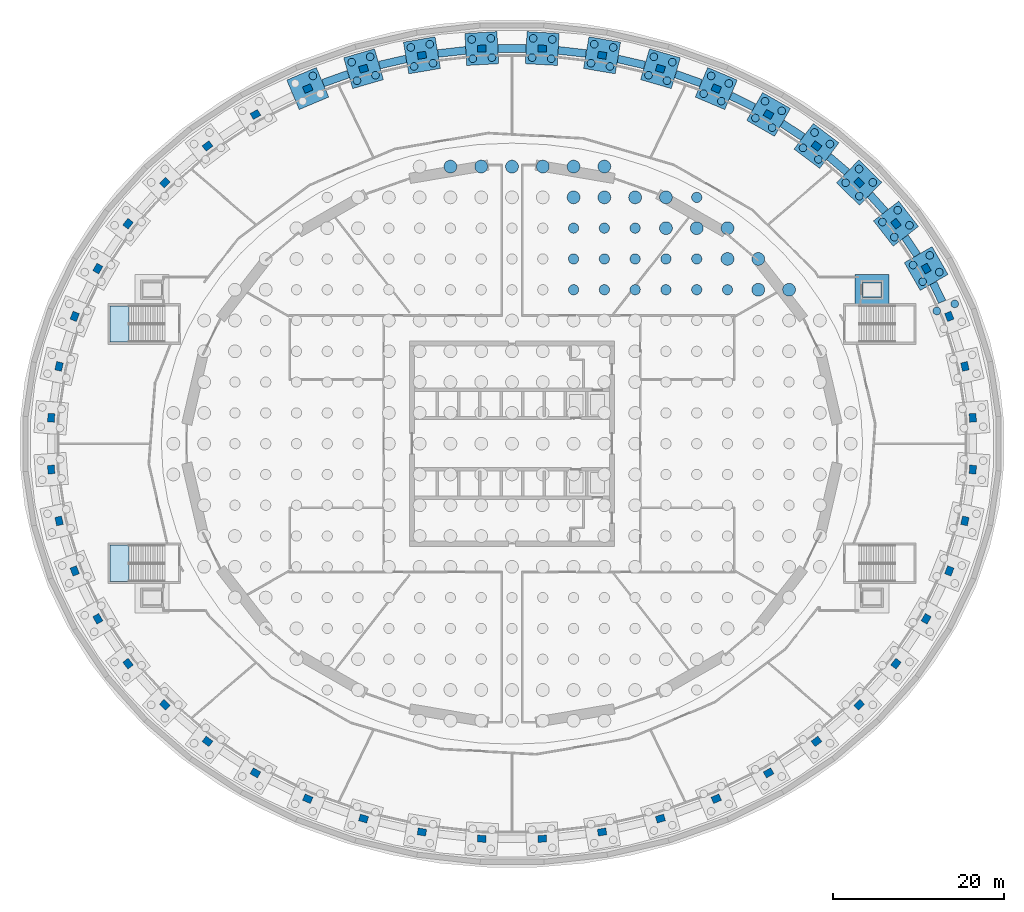
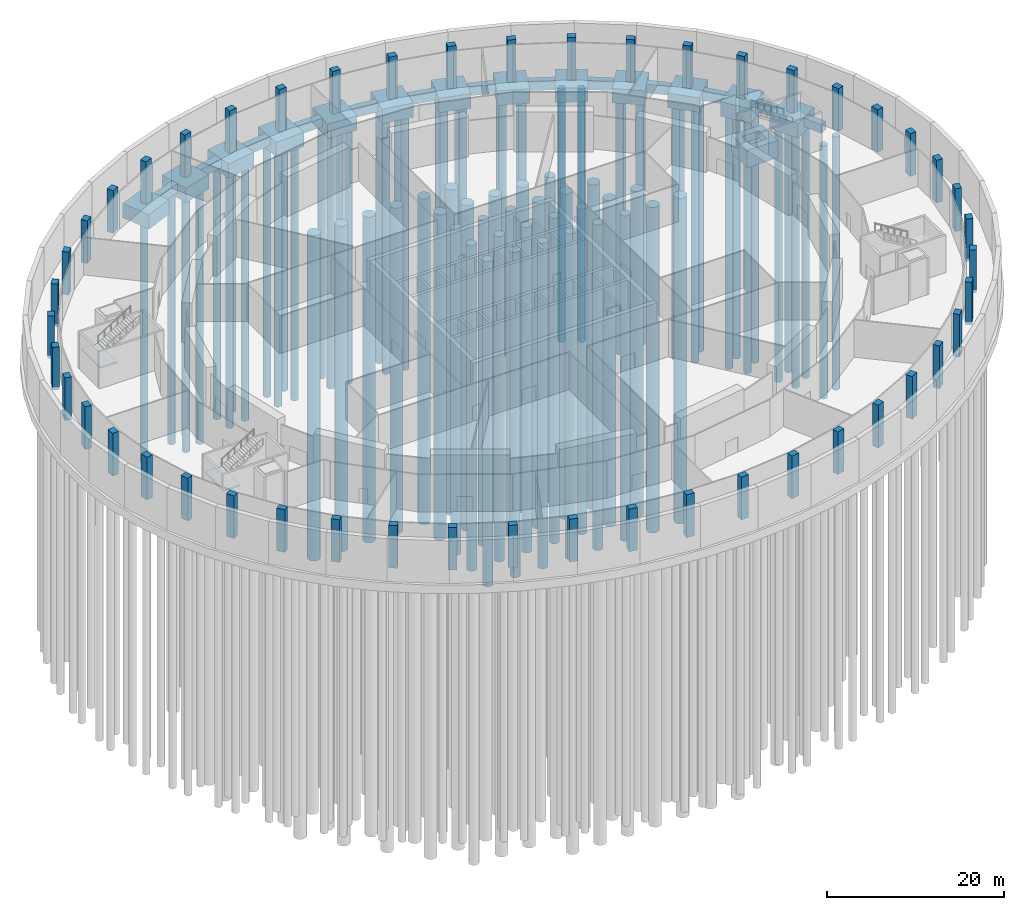
# One storey, part 4 of 15: 83 piles, 48 columns, 28 footings, 2 slabs, 2 elements without a shape of their own.
"""IFC4 building model written with IfcOpenShell, lengths in metres."""

from ifc_helpers import new_model, si_unit, direction, frame, origin, origin_2d, place, context, subcontext, project, spatial, polyline, rectangle, circle, outline, extrude, material, layer, layer_set, material_profile, profile_set, type_object, element, aggregate, save


model = new_model("IFC4")

# Units and contexts
model_context = context("Model", 3, precision=1e-05, world=origin(), true_north=direction((0.0, 1.0)))
body_context = subcontext(model_context, "Body", "Model", "MODEL_VIEW")
ifc_project = project(units=[si_unit("LENGTHUNIT", "METRE"), si_unit("AREAUNIT", "SQUARE_METRE"), si_unit("VOLUMEUNIT", "CUBIC_METRE"), si_unit("PLANEANGLEUNIT", "RADIAN"), si_unit("MASSUNIT", "GRAM", prefix="KILO")], contexts=[model_context])

# Site, building, storey
site_placement = place(None, origin())
site = spatial("IfcSite", under=ifc_project, at=site_placement, CompositionType="ELEMENT")
building_placement = place(site_placement, origin())
building = spatial("IfcBuilding", under=site, at=building_placement, Name="Halqa Exchange Tower", CompositionType="ELEMENT")
storey_placement = place(building_placement, frame((0.0, 0.0, -15.0)))
storey = spatial("IfcBuildingStorey", under=building, at=storey_placement, Name="B3", CompositionType="ELEMENT", Elevation=-15.0)

# Piles
ifc_material_1 = material(Name="Concrete C35/45", Category="concrete")
ifc_material_profile_1 = material_profile(ifc_material_1, circle(Radius=0.60009765625, at=origin_2d()), Name="D1200")
ifc_profile_set_1 = profile_set([ifc_material_profile_1], Name="Concrete C35/45")
pile_type_1 = type_object("IfcPileType", Name="Bored pile D1200", PredefinedType="BORED", material=ifc_profile_set_1)
for number, where, z_axis, x_axis, name in (
    (1, (7.199951171875, 18.0, -4.89990234375), (0.0, 0.0, -1.0), (1.0, 0.0, 0.0), "Raft pile"),
    (2, (10.800048828125, 18.0, -4.89990234375), (0.0, 0.0, -1.0), (1.0, 0.0, 0.0), "Raft pile"),
    (3, (14.39990234375, 18.0, -4.89990234375), (0.0, 0.0, -1.0), (1.0, 0.0, 0.0), "Raft pile"),
    (4, (18.0, 18.0, -4.89990234375), (0.0, 0.0, -1.0), (1.0, 0.0, 0.0), "Raft pile"),
    (5, (21.60009765625, 18.0, -4.89990234375), (0.0, 0.0, -1.0), (1.0, 0.0, 0.0), "Raft pile"),
    (6, (25.199951171875, 18.0, -4.89990234375), (0.0, 0.0, -1.0), (1.0, 0.0, 0.0), "Raft pile"),
    (7, (7.199951171875, 21.60009765625, -4.89990234375), (0.0, 0.0, -1.0), (1.0, 0.0, 0.0), "Raft pile"),
    (8, (10.800048828125, 21.60009765625, -4.89990234375), (0.0, 0.0, -1.0), (1.0, 0.0, 0.0), "Raft pile"),
    (9, (14.39990234375, 21.60009765625, -4.89990234375), (0.0, 0.0, -1.0), (1.0, 0.0, 0.0), "Raft pile"),
    (10, (18.0, 21.60009765625, -4.89990234375), (0.0, 0.0, -1.0), (1.0, 0.0, 0.0), "Raft pile"),
    (11, (21.60009765625, 21.60009765625, -4.89990234375), (0.0, 0.0, -1.0), (1.0, 0.0, 0.0), "Raft pile"),
    (12, (7.199951171875, 25.199951171875, -4.89990234375), (0.0, 0.0, -1.0), (1.0, 0.0, 0.0), "Raft pile"),
    (13, (10.800048828125, 25.199951171875, -4.89990234375), (0.0, 0.0, -1.0), (1.0, 0.0, 0.0), "Raft pile"),
    (14, (14.39990234375, 25.199951171875, -4.89990234375), (0.0, 0.0, -1.0), (1.0, 0.0, 0.0), "Raft pile"),
    (15, (21.60009765625, 28.800048828125, -4.89990234375), (0.0, 0.0, -1.0), (1.0, 0.0, 0.0), "Raft pile"),
):
    element("IfcPile", number, at=place(storey_placement, frame(where, z_axis=z_axis, x_axis=x_axis)), inside=storey, type_object=pile_type_1, Name=name, PredefinedType="BORED", context=body_context, shape_type="SweptSolid", body=[
        extrude(circle(Radius=0.60009765625, at=origin_2d()), origin(), (0.0, 0.0, 1.0), 45.0),
    ])
ifc_material_profile_2 = material_profile(ifc_material_1, circle(Radius=0.75, at=origin_2d()), Name="D1500")
ifc_profile_set_2 = profile_set([ifc_material_profile_2], Name="Concrete C35/45")
pile_type_2 = type_object("IfcPileType", Name="Bored pile D1500", PredefinedType="BORED", material=ifc_profile_set_2)
for number, where, z_axis, x_axis, name in (
    (16, (28.800048828125, 18.0, -4.89990234375), (0.0, 0.0, -1.0), (1.0, 0.0, 0.0), "Raft pile"),
    (17, (32.39990234375, 18.0, -4.89990234375), (0.0, 0.0, -1.0), (1.0, 0.0, 0.0), "Raft pile"),
    (18, (25.199951171875, 21.60009765625, -4.89990234375), (0.0, 0.0, -1.0), (1.0, 0.0, 0.0), "Raft pile"),
    (19, (28.800048828125, 21.60009765625, -4.89990234375), (0.0, 0.0, -1.0), (1.0, 0.0, 0.0), "Raft pile"),
    (20, (18.0, 25.199951171875, -4.89990234375), (0.0, 0.0, -1.0), (1.0, 0.0, 0.0), "Raft pile"),
    (21, (21.60009765625, 25.199951171875, -4.89990234375), (0.0, 0.0, -1.0), (1.0, 0.0, 0.0), "Raft pile"),
    (22, (25.199951171875, 25.199951171875, -4.89990234375), (0.0, 0.0, -1.0), (1.0, 0.0, 0.0), "Raft pile"),
    (23, (7.199951171875, 28.800048828125, -4.89990234375), (0.0, 0.0, -1.0), (1.0, 0.0, 0.0), "Raft pile"),
    (24, (10.800048828125, 28.800048828125, -4.89990234375), (0.0, 0.0, -1.0), (1.0, 0.0, 0.0), "Raft pile"),
    (25, (14.39990234375, 28.800048828125, -4.89990234375), (0.0, 0.0, -1.0), (1.0, 0.0, 0.0), "Raft pile"),
    (26, (18.0, 28.800048828125, -4.89990234375), (0.0, 0.0, -1.0), (1.0, 0.0, 0.0), "Raft pile"),
    (27, (-7.199951171875, 32.39990234375, -4.89990234375), (0.0, 0.0, -1.0), (1.0, 0.0, 0.0), "Raft pile"),
    (28, (-3.60009765625, 32.39990234375, -4.89990234375), (0.0, 0.0, -1.0), (1.0, 0.0, 0.0), "Raft pile"),
    (29, (0.0, 32.39990234375, -4.89990234375), (0.0, 0.0, -1.0), (1.0, 0.0, 0.0), "Raft pile"),
    (30, (3.60009765625, 32.39990234375, -4.89990234375), (0.0, 0.0, -1.0), (1.0, 0.0, 0.0), "Raft pile"),
    (31, (7.199951171875, 32.39990234375, -4.89990234375), (0.0, 0.0, -1.0), (1.0, 0.0, 0.0), "Raft pile"),
    (32, (10.800048828125, 32.39990234375, -4.89990234375), (0.0, 0.0, -1.0), (1.0, 0.0, 0.0), "Raft pile"),
):
    element("IfcPile", number, at=place(storey_placement, frame(where, z_axis=z_axis, x_axis=x_axis)), inside=storey, type_object=pile_type_2, Name=name, PredefinedType="BORED", context=body_context, shape_type="SweptSolid", body=[
        extrude(circle(Radius=0.75, at=origin_2d()), origin(), (0.0, 0.0, 1.0), 45.0),
    ])
ifc_material_profile_3 = material_profile(ifc_material_1, circle(Radius=0.449951171875, at=origin_2d()), Name="D900")
ifc_profile_set_3 = profile_set([ifc_material_profile_3], Name="Concrete C35/45")
pile_type_3 = type_object("IfcPileType", Name="Bored pile D900", PredefinedType="BORED", material=ifc_profile_set_3)
for number, where, z_axis, x_axis, name in (
    (33, (51.76611328125, 16.3427734375, -2.39990234375), (0.0, 0.0, -1.0), (1.0, 0.0, 0.0), "Cap pile"),
    (34, (49.674072265625, 15.514404296875, -2.39990234375), (0.0, 0.0, -1.0), (1.0, 0.0, 0.0), "Cap pile"),
    (35, (49.96728515625, 20.063720703125, -2.39990234375), (0.0, 0.0, -1.0), (1.0, 0.0, 0.0), "Cap pile"),
    (36, (48.845458984375, 22.01416015625, -2.39990234375), (0.0, 0.0, -1.0), (1.0, 0.0, 0.0), "Cap pile"),
    (37, (48.016845703125, 18.94189453125, -2.39990234375), (0.0, 0.0, -1.0), (1.0, 0.0, 0.0), "Cap pile"),
    (38, (46.89501953125, 20.892333984375, -2.39990234375), (0.0, 0.0, -1.0), (1.0, 0.0, 0.0), "Cap pile"),
    (39, (46.478271484375, 25.527099609375, -2.39990234375), (0.0, 0.0, -1.0), (1.0, 0.0, 0.0), "Cap pile"),
    (40, (45.09521484375, 27.3017578125, -2.39990234375), (0.0, 0.0, -1.0), (1.0, 0.0, 0.0), "Cap pile"),
    (41, (44.70361328125, 24.14404296875, -2.39990234375), (0.0, 0.0, -1.0), (1.0, 0.0, 0.0), "Cap pile"),
    (42, (43.320556640625, 25.918701171875, -2.39990234375), (0.0, 0.0, -1.0), (1.0, 0.0, 0.0), "Cap pile"),
    (43, (42.190185546875, 30.545654296875, -2.39990234375), (0.0, 0.0, -1.0), (1.0, 0.0, 0.0), "Cap pile"),
    (44, (40.581298828125, 32.11865234375, -2.39990234375), (0.0, 0.0, -1.0), (1.0, 0.0, 0.0), "Cap pile"),
    (45, (40.6171875, 28.936767578125, -2.39990234375), (0.0, 0.0, -1.0), (1.0, 0.0, 0.0), "Cap pile"),
    (46, (39.00830078125, 30.509765625, -2.39990234375), (0.0, 0.0, -1.0), (1.0, 0.0, 0.0), "Cap pile"),
    (47, (37.179931640625, 35.033203125, -2.39990234375), (0.0, 0.0, -1.0), (1.0, 0.0, 0.0), "Cap pile"),
    (48, (35.381591796875, 36.385498046875, -2.39990234375), (0.0, 0.0, -1.0), (1.0, 0.0, 0.0), "Cap pile"),
    (49, (35.827880859375, 33.23486328125, -2.39990234375), (0.0, 0.0, -1.0), (1.0, 0.0, 0.0), "Cap pile"),
    (50, (34.029296875, 34.587158203125, -2.39990234375), (0.0, 0.0, -1.0), (1.0, 0.0, 0.0), "Cap pile"),
    (51, (31.5361328125, 38.913818359375, -2.39990234375), (0.0, 0.0, -1.0), (1.0, 0.0, 0.0), "Cap pile"),
    (52, (29.583984375, 40.032470703125, -2.39990234375), (0.0, 0.0, -1.0), (1.0, 0.0, 0.0), "Cap pile"),
    (53, (30.417724609375, 36.961669921875, -2.39990234375), (0.0, 0.0, -1.0), (1.0, 0.0, 0.0), "Cap pile"),
    (54, (28.46533203125, 38.080078125, -2.39990234375), (0.0, 0.0, -1.0), (1.0, 0.0, 0.0), "Cap pile"),
    (55, (25.35791015625, 42.123291015625, -2.39990234375), (0.0, 0.0, -1.0), (1.0, 0.0, 0.0), "Cap pile"),
    (56, (23.285400390625, 42.99951171875, -2.39990234375), (0.0, 0.0, -1.0), (1.0, 0.0, 0.0), "Cap pile"),
    (57, (24.481689453125, 40.05078125, -2.39990234375), (0.0, 0.0, -1.0), (1.0, 0.0, 0.0), "Cap pile"),
    (58, (22.4091796875, 40.927001953125, -2.39990234375), (0.0, 0.0, -1.0), (1.0, 0.0, 0.0), "Cap pile"),
    (59, (18.752197265625, 44.608642578125, -2.39990234375), (0.0, 0.0, -1.0), (1.0, 0.0, 0.0), "Cap pile"),
    (60, (16.591796875, 45.237548828125, -2.39990234375), (0.0, 0.0, -1.0), (1.0, 0.0, 0.0), "Cap pile"),
    (61, (18.12353515625, 42.4482421875, -2.39990234375), (0.0, 0.0, -1.0), (1.0, 0.0, 0.0), "Cap pile"),
    (62, (15.963134765625, 43.0771484375, -2.39990234375), (0.0, 0.0, -1.0), (1.0, 0.0, 0.0), "Cap pile"),
    (63, (11.8330078125, 46.330078125, -2.39990234375), (0.0, 0.0, -1.0), (1.0, 0.0, 0.0), "Cap pile"),
    (64, (9.614990234375, 46.70849609375, -2.39990234375), (0.0, 0.0, -1.0), (1.0, 0.0, 0.0), "Cap pile"),
    (65, (11.45458984375, 44.1123046875, -2.39990234375), (0.0, 0.0, -1.0), (1.0, 0.0, 0.0), "Cap pile"),
    (66, (9.23681640625, 44.490478515625, -2.39990234375), (0.0, 0.0, -1.0), (1.0, 0.0, 0.0), "Cap pile"),
    (67, (4.718017578125, 47.260986328125, -2.39990234375), (0.0, 0.0, -1.0), (1.0, 0.0, 0.0), "Cap pile"),
    (68, (2.4716796875, 47.38720703125, -2.39990234375), (0.0, 0.0, -1.0), (1.0, 0.0, 0.0), "Cap pile"),
    (69, (4.591796875, 45.0146484375, -2.39990234375), (0.0, 0.0, -1.0), (1.0, 0.0, 0.0), "Cap pile"),
    (70, (2.345458984375, 45.140869140625, -2.39990234375), (0.0, 0.0, -1.0), (1.0, 0.0, 0.0), "Cap pile"),
    (71, (-2.4716796875, 47.38720703125, -2.39990234375), (0.0, 0.0, -1.0), (1.0, 0.0, 0.0), "Cap pile"),
    (72, (-4.718017578125, 47.260986328125, -2.39990234375), (0.0, 0.0, -1.0), (1.0, 0.0, 0.0), "Cap pile"),
    (73, (-2.345458984375, 45.140869140625, -2.39990234375), (0.0, 0.0, -1.0), (1.0, 0.0, 0.0), "Cap pile"),
    (74, (-4.591796875, 45.0146484375, -2.39990234375), (0.0, 0.0, -1.0), (1.0, 0.0, 0.0), "Cap pile"),
    (75, (-9.614990234375, 46.70849609375, -2.39990234375), (0.0, 0.0, -1.0), (1.0, 0.0, 0.0), "Cap pile"),
    (76, (-11.8330078125, 46.330078125, -2.39990234375), (0.0, 0.0, -1.0), (1.0, 0.0, 0.0), "Cap pile"),
    (77, (-9.23681640625, 44.490478515625, -2.39990234375), (0.0, 0.0, -1.0), (1.0, 0.0, 0.0), "Cap pile"),
    (78, (-11.45458984375, 44.1123046875, -2.39990234375), (0.0, 0.0, -1.0), (1.0, 0.0, 0.0), "Cap pile"),
    (79, (-16.591796875, 45.237548828125, -2.39990234375), (0.0, 0.0, -1.0), (1.0, 0.0, 0.0), "Cap pile"),
    (80, (-18.752197265625, 44.608642578125, -2.39990234375), (0.0, 0.0, -1.0), (1.0, 0.0, 0.0), "Cap pile"),
    (81, (-15.963134765625, 43.0771484375, -2.39990234375), (0.0, 0.0, -1.0), (1.0, 0.0, 0.0), "Cap pile"),
    (82, (-18.12353515625, 42.4482421875, -2.39990234375), (0.0, 0.0, -1.0), (1.0, 0.0, 0.0), "Cap pile"),
    (83, (-23.285400390625, 42.99951171875, -2.39990234375), (0.0, 0.0, -1.0), (1.0, 0.0, 0.0), "Cap pile"),
):
    element("IfcPile", number, at=place(storey_placement, frame(where, z_axis=z_axis, x_axis=x_axis)), inside=storey, type_object=pile_type_3, Name=name, PredefinedType="BORED", context=body_context, shape_type="SweptSolid", body=[
        extrude(circle(Radius=0.449951171875, at=origin_2d()), origin(), (0.0, 0.0, 1.0), 35.0),
    ])

# Footings
ifc_material_2 = material(Name="Concrete C40/50", Category="concrete")
footing_type_1 = type_object("IfcFootingType", Name="Ground beam 900 x 1200", PredefinedType="FOOTING_BEAM", material=ifc_material_2)
footing_1_placement = place(storey_placement, frame((0.0, 0.0, -1.60009765625)))
element("IfcFooting", 84, at=footing_1_placement, inside=storey, type_object=footing_type_1, Name="Ground beam 3", PredefinedType="FOOTING_BEAM", context=body_context, shape_type="SweptSolid", body=[
    extrude(outline(polyline([(49.902587890625, 16.397705078125), (48.852294921875, 18.571533203125), (49.66259765625, 18.962890625), (50.712890625, 16.789306640625), (49.902587890625, 16.397705078125)])), origin(), (0.0, 0.0, 1.0), 1.2001953125),
])
footing_2_placement = place(storey_placement, frame((0.0, 0.0, -1.60009765625)))
element("IfcFooting", 85, at=footing_2_placement, inside=storey, type_object=footing_type_1, Name="Ground beam 4", PredefinedType="FOOTING_BEAM", context=body_context, shape_type="SweptSolid", body=[
    extrude(outline(polyline([(46.996826171875, 21.802490234375), (45.587158203125, 23.89599609375), (46.33349609375, 24.398681640625), (47.743408203125, 22.30517578125), (46.996826171875, 21.802490234375)])), origin(), (0.0, 0.0, 1.0), 1.2001953125),
])
footing_3_placement = place(storey_placement, frame((0.0, 0.0, -1.60009765625)))
element("IfcFooting", 86, at=footing_3_placement, inside=storey, type_object=footing_type_1, Name="Ground beam 5", PredefinedType="FOOTING_BEAM", context=body_context, shape_type="SweptSolid", body=[
    extrude(outline(polyline([(43.29736328125, 26.838134765625), (41.530517578125, 28.8125), (42.201171875, 29.41259765625), (43.968017578125, 27.438232421875), (43.29736328125, 26.838134765625)])), origin(), (0.0, 0.0, 1.0), 1.2001953125),
])
footing_4_placement = place(storey_placement, frame((0.0, 0.0, -1.60009765625)))
element("IfcFooting", 87, at=footing_4_placement, inside=storey, type_object=footing_type_1, Name="Ground beam 6", PredefinedType="FOOTING_BEAM", context=body_context, shape_type="SweptSolid", body=[
    extrude(outline(polyline([(38.86474609375, 31.422119140625), (36.75341796875, 33.232666015625), (37.339111328125, 33.915771484375), (39.45068359375, 32.10546875), (38.86474609375, 31.422119140625)])), origin(), (0.0, 0.0, 1.0), 1.2001953125),
])
footing_5_placement = place(storey_placement, frame((0.0, 0.0, -1.60009765625)))
element("IfcFooting", 88, at=footing_5_placement, inside=storey, type_object=footing_type_1, Name="Ground beam 7", PredefinedType="FOOTING_BEAM", context=body_context, shape_type="SweptSolid", body=[
    extrude(outline(polyline([(33.771240234375, 35.477783203125), (31.339599609375, 37.07763671875), (31.834228515625, 37.829345703125), (34.265869140625, 36.229736328125), (33.771240234375, 35.477783203125)])), origin(), (0.0, 0.0, 1.0), 1.2001953125),
])
footing_6_placement = place(storey_placement, frame((0.0, 0.0, -1.60009765625)))
element("IfcFooting", 89, at=footing_6_placement, inside=storey, type_object=footing_type_1, Name="Ground beam 8", PredefinedType="FOOTING_BEAM", context=body_context, shape_type="SweptSolid", body=[
    extrude(outline(polyline([(28.099853515625, 38.935791015625), (25.38525390625, 40.27978515625), (25.784423828125, 41.086181640625), (28.4990234375, 39.742431640625), (28.099853515625, 38.935791015625)])), origin(), (0.0, 0.0, 1.0), 1.2001953125),
])
footing_7_placement = place(storey_placement, frame((0.0, 0.0, -1.60009765625)))
element("IfcFooting", 90, at=footing_7_placement, inside=storey, type_object=footing_type_1, Name="Ground beam 9", PredefinedType="FOOTING_BEAM", context=body_context, shape_type="SweptSolid", body=[
    extrude(outline(polyline([(21.944091796875, 41.736328125), (18.995849609375, 42.78369140625), (19.297119140625, 43.631591796875), (22.245361328125, 42.58447265625), (21.944091796875, 41.736328125)])), origin(), (0.0, 0.0, 1.0), 1.2001953125),
])
footing_8_placement = place(storey_placement, frame((0.0, 0.0, -1.60009765625)))
element("IfcFooting", 91, at=footing_8_placement, inside=storey, type_object=footing_type_1, Name="Ground beam 10", PredefinedType="FOOTING_BEAM", context=body_context, shape_type="SweptSolid", body=[
    extrude(outline(polyline([(15.406982421875, 43.829345703125), (12.283935546875, 44.546875), (12.485595703125, 45.424072265625), (15.608642578125, 44.70654296875), (15.406982421875, 43.829345703125)])), origin(), (0.0, 0.0, 1.0), 1.2001953125),
])
footing_9_placement = place(storey_placement, frame((0.0, 0.0, -1.60009765625)))
element("IfcFooting", 92, at=footing_9_placement, inside=storey, type_object=footing_type_1, Name="Ground beam 11", PredefinedType="FOOTING_BEAM", context=body_context, shape_type="SweptSolid", body=[
    extrude(outline(polyline([(8.598388671875, 45.176025390625), (5.3671875, 45.541015625), (5.46826171875, 46.435302734375), (8.699462890625, 46.070556640625), (8.598388671875, 45.176025390625)])), origin(), (0.0, 0.0, 1.0), 1.2001953125),
])
footing_10_placement = place(storey_placement, frame((0.0, 0.0, -1.60009765625)))
element("IfcFooting", 93, at=footing_10_placement, inside=storey, type_object=footing_type_1, Name="Ground beam 12", PredefinedType="FOOTING_BEAM", context=body_context, shape_type="SweptSolid", body=[
    extrude(outline(polyline([(1.6337890625, 45.7509765625), (-1.6337890625, 45.7509765625), (-1.6337890625, 46.65087890625), (1.6337890625, 46.65087890625), (1.6337890625, 45.7509765625)])), origin(), (0.0, 0.0, 1.0), 1.2001953125),
])
footing_11_placement = place(storey_placement, frame((0.0, 0.0, -1.60009765625)))
element("IfcFooting", 94, at=footing_11_placement, inside=storey, type_object=footing_type_1, Name="Ground beam 13", PredefinedType="FOOTING_BEAM", context=body_context, shape_type="SweptSolid", body=[
    extrude(outline(polyline([(-5.3671875, 45.541015625), (-8.598388671875, 45.176025390625), (-8.699462890625, 46.070556640625), (-5.46826171875, 46.435302734375), (-5.3671875, 45.541015625)])), origin(), (0.0, 0.0, 1.0), 1.2001953125),
])
footing_12_placement = place(storey_placement, frame((0.0, 0.0, -1.60009765625)))
element("IfcFooting", 95, at=footing_12_placement, inside=storey, type_object=footing_type_1, Name="Ground beam 14", PredefinedType="FOOTING_BEAM", context=body_context, shape_type="SweptSolid", body=[
    extrude(outline(polyline([(-12.283935546875, 44.546875), (-15.406982421875, 43.829345703125), (-15.608642578125, 44.70654296875), (-12.485595703125, 45.424072265625), (-12.283935546875, 44.546875)])), origin(), (0.0, 0.0, 1.0), 1.2001953125),
])
footing_13_placement = place(storey_placement, frame((0.0, 0.0, -1.60009765625)))
element("IfcFooting", 96, at=footing_13_placement, inside=storey, type_object=footing_type_1, Name="Ground beam 15", PredefinedType="FOOTING_BEAM", context=body_context, shape_type="SweptSolid", body=[
    extrude(outline(polyline([(-18.995849609375, 42.78369140625), (-21.944091796875, 41.736328125), (-22.245361328125, 42.58447265625), (-19.297119140625, 43.631591796875), (-18.995849609375, 42.78369140625)])), origin(), (0.0, 0.0, 1.0), 1.2001953125),
])
ifc_layer_1 = layer(ifc_material_2, 1.0)
ifc_layer_set_1 = layer_set([ifc_layer_1], Name="Concrete C40/50")
footing_type_2 = type_object("IfcFootingType", Name="Lift pit base", PredefinedType="PAD_FOOTING", material=ifc_layer_set_1)
footing_14_placement = place(storey_placement, frame((0.0, 0.0, -2.800048828125)))
element("IfcFooting", 97, at=footing_14_placement, inside=storey, type_object=footing_type_2, Name="Lift pit base AL1", PredefinedType="PAD_FOOTING", context=body_context, shape_type="SweptSolid", body=[
    extrude(outline(polyline([(41.0, 17.10009765625), (43.199951171875, 17.10009765625), (43.199951171875, 18.89990234375), (41.0, 18.89990234375), (41.0, 17.10009765625)])), origin(), (0.0, 0.0, 1.0), 1.400146484375),
])
ifc_layer_2 = layer(ifc_material_2, 2.39990234375)
ifc_layer_set_2 = layer_set([ifc_layer_2], Name="Concrete C40/50")
footing_type_3 = type_object("IfcFootingType", Name="Lift pit pad", PredefinedType="PAD_FOOTING", material=ifc_layer_set_2)
footing_15_placement = place(storey_placement, frame((0.0, 0.0, -2.800048828125)))
element("IfcFooting", 98, at=footing_15_placement, inside=storey, type_object=footing_type_3, Name="Lift pit pad AL1", PredefinedType="PAD_FOOTING", context=body_context, shape_type="SweptSolid", body=[
    extrude(outline(polyline([(40.10009765625, 16.199951171875), (44.10009765625, 16.199951171875), (44.10009765625, 19.800048828125), (40.10009765625, 19.800048828125), (40.10009765625, 16.199951171875)]), holes=[polyline([(41.0, 17.10009765625), (43.199951171875, 17.10009765625), (43.199951171875, 18.89990234375), (41.0, 18.89990234375), (41.0, 17.10009765625)])]), origin(), (0.0, 0.0, 1.0), 2.400146484375),
])
footing_type_4 = type_object("IfcFootingType", Name="Pile cap 3750 x 3750 x 2000", PredefinedType="PILE_CAP", material=ifc_material_2)
for number, where, z_axis, x_axis, name in (
    (99, (48.43115234375, 20.47802734375, -2.39990234375), (0.0, 0.0, 1.0), (-0.498569440634, 0.866849763723, 0.0), "Pile cap 4"),
    (100, (44.8994140625, 25.722900390625, -2.39990234375), (0.0, 0.0, 1.0), (-0.614691396063, 0.788767701929, 0.0), "Pile cap 5"),
    (101, (40.599365234375, 30.527587890625, -2.39990234375), (0.0, 0.0, 1.0), (-0.715039055588, 0.699084507755, 0.0), "Pile cap 6"),
    (102, (35.604736328125, 34.810302734375, -2.39990234375), (0.0, 0.0, 1.0), (-0.799260046694, 0.600985339055, 0.0), "Pile cap 7"),
    (103, (30.000732421875, 38.4970703125, -2.39990234375), (0.0, 0.0, 1.0), (-0.867693451459, 0.497099662336, 0.0), "Pile cap 8"),
    (104, (23.883544921875, 41.525146484375, -2.39990234375), (0.0, 0.0, 1.0), (-0.921048160137, 0.389448695861, 0.0), "Pile cap 9"),
    (105, (17.357666015625, 43.843017578125, -2.39990234375), (0.0, 0.0, 1.0), (-0.960157717988, 0.27945868494, 0.0), "Pile cap 10"),
    (106, (10.534912109375, 45.410400390625, -2.39990234375), (0.0, 0.0, 1.0), (-0.985766331194, 0.168121207122, 0.0), "Pile cap 11"),
    (107, (3.53173828125, 46.200927734375, -2.39990234375), (0.0, 0.0, 1.0), (-0.998424745269, 0.056107290394, 0.0), "Pile cap 12"),
    (108, (-3.53173828125, 46.200927734375, -2.39990234375), (0.0, 0.0, 1.0), (-0.998424745269, -0.056107290394, 0.0), "Pile cap 13"),
    (109, (-10.534912109375, 45.410400390625, -2.39990234375), (0.0, 0.0, 1.0), (-0.985766331194, -0.168121207122, 0.0), "Pile cap 14"),
    (110, (-17.357666015625, 43.843017578125, -2.39990234375), (0.0, 0.0, 1.0), (-0.960157717988, -0.27945868494, 0.0), "Pile cap 15"),
    (111, (-23.883544921875, 41.525146484375, -2.39990234375), (0.0, 0.0, 1.0), (-0.921048160137, -0.389448695861, 0.0), "Pile cap 16"),
):
    element("IfcFooting", number, at=place(storey_placement, frame(where, z_axis=z_axis, x_axis=x_axis)), inside=storey, type_object=footing_type_4, Name=name, PredefinedType="PILE_CAP", context=body_context, shape_type="SweptSolid", body=[
        extrude(rectangle(XDim=3.75, YDim=3.75, at=origin_2d()), origin(), (0.0, 0.0, 1.0), 2.0),
    ])

# Columns
ifc_material_3 = material(Name="Concrete C60/75", Category="concrete")
ifc_material_profile_4 = material_profile(ifc_material_3, rectangle(XDim=1.0, YDim=0.800048828125, at=origin_2d()), Name="1000 x 800")
ifc_profile_set_4 = profile_set([ifc_material_profile_4], Name="Concrete C60/75")
column_type = type_object("IfcColumnType", Name="RC podium ring column 1000 x 800 C60/75", PredefinedType="COLUMN", material=ifc_profile_set_4)
for number, where, z_axis, x_axis, name in (
    (112, (53.884521484375, 3.0283203125, -0.39990234375), (0.0, 0.0, 1.0), (-0.076223065836, 0.997090790367, 0.0), "Podium ring column 1"),
    (113, (52.96240234375, 9.03271484375, -0.39990234375), (0.0, 0.0, 1.0), (-0.22599679145, 0.974128046129, 0.0), "Podium ring column 2"),
    (114, (51.13427734375, 14.882568359375, -0.39990234375), (0.0, 0.0, 1.0), (-0.368109947744, 0.92978226826, 0.0), "Podium ring column 3"),
    (115, (48.43115234375, 20.47802734375, -0.39990234375), (0.0, 0.0, 1.0), (-0.498569440634, 0.866849763723, 0.0), "Podium ring column 4"),
    (116, (44.8994140625, 25.722900390625, -0.39990234375), (0.0, 0.0, 1.0), (-0.614691396063, 0.788767701929, 0.0), "Podium ring column 5"),
    (117, (40.599365234375, 30.527587890625, -0.39990234375), (0.0, 0.0, 1.0), (-0.715039055588, 0.699084507755, 0.0), "Podium ring column 6"),
    (118, (35.604736328125, 34.810302734375, -0.39990234375), (0.0, 0.0, 1.0), (-0.799260046694, 0.600985339055, 0.0), "Podium ring column 7"),
    (119, (30.000732421875, 38.4970703125, -0.39990234375), (0.0, 0.0, 1.0), (-0.867693451459, 0.497099662336, 0.0), "Podium ring column 8"),
    (120, (23.883544921875, 41.525146484375, -0.39990234375), (0.0, 0.0, 1.0), (-0.921048160137, 0.389448695861, 0.0), "Podium ring column 9"),
    (121, (17.357666015625, 43.843017578125, -0.39990234375), (0.0, 0.0, 1.0), (-0.960157717988, 0.27945868494, 0.0), "Podium ring column 10"),
    (122, (10.534912109375, 45.410400390625, -0.39990234375), (0.0, 0.0, 1.0), (-0.985766331194, 0.168121207122, 0.0), "Podium ring column 11"),
    (123, (3.53173828125, 46.200927734375, -0.39990234375), (0.0, 0.0, 1.0), (-0.998424745269, 0.056107290394, 0.0), "Podium ring column 12"),
    (124, (-3.53173828125, 46.200927734375, -0.39990234375), (0.0, 0.0, 1.0), (-0.998424745269, -0.056107290394, 0.0), "Podium ring column 13"),
    (125, (-10.534912109375, 45.410400390625, -0.39990234375), (0.0, 0.0, 1.0), (-0.985766331194, -0.168121207122, 0.0), "Podium ring column 14"),
    (126, (-17.357666015625, 43.843017578125, -0.39990234375), (0.0, 0.0, 1.0), (-0.960157717988, -0.27945868494, 0.0), "Podium ring column 15"),
    (127, (-23.883544921875, 41.525146484375, -0.39990234375), (0.0, 0.0, 1.0), (-0.921048160137, -0.389448695861, 0.0), "Podium ring column 16"),
    (128, (-30.000732421875, 38.4970703125, -0.39990234375), (0.0, 0.0, 1.0), (-0.867693451459, -0.497099662336, 0.0), "Podium ring column 17"),
    (129, (-35.604736328125, 34.810302734375, -0.39990234375), (0.0, 0.0, 1.0), (-0.799260046694, -0.600985339055, 0.0), "Podium ring column 18"),
    (130, (-40.599365234375, 30.527587890625, -0.39990234375), (0.0, 0.0, 1.0), (-0.715039055588, -0.699084507755, 0.0), "Podium ring column 19"),
    (131, (-44.8994140625, 25.722900390625, -0.39990234375), (0.0, 0.0, 1.0), (-0.614691396063, -0.788767701929, 0.0), "Podium ring column 20"),
    (132, (-48.43115234375, 20.47802734375, -0.39990234375), (0.0, 0.0, 1.0), (-0.498569440634, -0.866849763723, 0.0), "Podium ring column 21"),
    (133, (-51.13427734375, 14.882568359375, -0.39990234375), (0.0, 0.0, 1.0), (-0.368109947744, -0.92978226826, 0.0), "Podium ring column 22"),
    (134, (-52.96240234375, 9.03271484375, -0.39990234375), (0.0, 0.0, 1.0), (-0.22599679145, -0.974128046129, 0.0), "Podium ring column 23"),
    (135, (-53.884521484375, 3.0283203125, -0.39990234375), (0.0, 0.0, 1.0), (-0.076223065836, -0.997090790367, 0.0), "Podium ring column 24"),
    (136, (-53.884521484375, -3.0283203125, -0.39990234375), (0.0, 0.0, 1.0), (0.076223065836, -0.997090790367, 0.0), "Podium ring column 25"),
    (137, (-52.96240234375, -9.03271484375, -0.39990234375), (0.0, 0.0, 1.0), (0.22599679145, -0.974128046129, 0.0), "Podium ring column 26"),
    (138, (-51.13427734375, -14.882568359375, -0.39990234375), (0.0, 0.0, 1.0), (0.368109947744, -0.92978226826, 0.0), "Podium ring column 27"),
    (139, (-48.43115234375, -20.47802734375, -0.39990234375), (0.0, 0.0, 1.0), (0.498569440634, -0.866849763723, 0.0), "Podium ring column 28"),
    (140, (-44.8994140625, -25.722900390625, -0.39990234375), (0.0, 0.0, 1.0), (0.614691396063, -0.788767701929, 0.0), "Podium ring column 29"),
    (141, (-40.599365234375, -30.527587890625, -0.39990234375), (0.0, 0.0, 1.0), (0.715039055588, -0.699084507755, 0.0), "Podium ring column 30"),
    (142, (-35.604736328125, -34.810302734375, -0.39990234375), (0.0, 0.0, 1.0), (0.799260046694, -0.600985339055, 0.0), "Podium ring column 31"),
    (143, (-30.000732421875, -38.4970703125, -0.39990234375), (0.0, 0.0, 1.0), (0.867693451459, -0.497099662336, 0.0), "Podium ring column 32"),
    (144, (-23.883544921875, -41.525146484375, -0.39990234375), (0.0, 0.0, 1.0), (0.921048160137, -0.389448695861, 0.0), "Podium ring column 33"),
    (145, (-17.357666015625, -43.843017578125, -0.39990234375), (0.0, 0.0, 1.0), (0.960157717988, -0.27945868494, 0.0), "Podium ring column 34"),
    (146, (-10.534912109375, -45.410400390625, -0.39990234375), (0.0, 0.0, 1.0), (0.985766331194, -0.168121207122, 0.0), "Podium ring column 35"),
    (147, (-3.53173828125, -46.200927734375, -0.39990234375), (0.0, 0.0, 1.0), (0.998424745269, -0.056107290394, 0.0), "Podium ring column 36"),
    (148, (3.53173828125, -46.200927734375, -0.39990234375), (0.0, 0.0, 1.0), (0.998424745269, 0.056107290394, 0.0), "Podium ring column 37"),
    (149, (10.534912109375, -45.410400390625, -0.39990234375), (0.0, 0.0, 1.0), (0.985766331194, 0.168121207122, 0.0), "Podium ring column 38"),
    (150, (17.357666015625, -43.843017578125, -0.39990234375), (0.0, 0.0, 1.0), (0.960157717988, 0.27945868494, 0.0), "Podium ring column 39"),
    (151, (23.883544921875, -41.525146484375, -0.39990234375), (0.0, 0.0, 1.0), (0.921048160137, 0.389448695861, 0.0), "Podium ring column 40"),
    (152, (30.000732421875, -38.4970703125, -0.39990234375), (0.0, 0.0, 1.0), (0.867693451459, 0.497099662336, 0.0), "Podium ring column 41"),
    (153, (35.604736328125, -34.810302734375, -0.39990234375), (0.0, 0.0, 1.0), (0.799260046694, 0.600985339055, 0.0), "Podium ring column 42"),
    (154, (40.599365234375, -30.527587890625, -0.39990234375), (0.0, 0.0, 1.0), (0.715039055588, 0.699084507755, 0.0), "Podium ring column 43"),
    (155, (44.8994140625, -25.722900390625, -0.39990234375), (0.0, 0.0, 1.0), (0.614691396063, 0.788767701929, 0.0), "Podium ring column 44"),
    (156, (48.43115234375, -20.47802734375, -0.39990234375), (0.0, 0.0, 1.0), (0.498569440634, 0.866849763723, 0.0), "Podium ring column 45"),
    (157, (51.13427734375, -14.882568359375, -0.39990234375), (0.0, 0.0, 1.0), (0.368109947744, 0.92978226826, 0.0), "Podium ring column 46"),
    (158, (52.96240234375, -9.03271484375, -0.39990234375), (0.0, 0.0, 1.0), (0.22599679145, 0.974128046129, 0.0), "Podium ring column 47"),
    (159, (53.884521484375, -3.0283203125, -0.39990234375), (0.0, 0.0, 1.0), (0.076223065836, 0.997090790367, 0.0), "Podium ring column 48"),
):
    element("IfcColumn", number, at=place(storey_placement, frame(where, z_axis=z_axis, x_axis=x_axis)), inside=storey, type_object=column_type, Name=name, PredefinedType="COLUMN", context=body_context, shape_type="SweptSolid", body=[
        extrude(rectangle(XDim=1.0, YDim=0.800048828125, at=origin_2d()), origin(), (0.0, 0.0, 1.0), 5.89990234375),
    ])

# Stair, slab
ifc_material_4 = material(Name="Concrete C30/37", Category="concrete")
stair_type = type_object("IfcStairType", Name="Exit stair 2000 wide", PredefinedType="HALF_TURN_STAIR", material=ifc_material_4)
stair_1_placement = place(storey_placement, origin())
stair_1 = element("IfcStair", 160, at=stair_1_placement, inside=storey, type_object=stair_type, Name="Exit stair SS3", PredefinedType="HALF_TURN_STAIR")
ifc_layer_3 = layer(ifc_material_4, 0.199951171875)
ifc_layer_set_3 = layer_set([ifc_layer_3], Name="Concrete C30/37")
slab_type = type_object("IfcSlabType", Name="Stair landing 200 slab", PredefinedType="LANDING", material=ifc_layer_set_3)
slab_1_placement = place(storey_placement, frame((0.0, 0.0, 2.550048828125)))
slab_1 = element("IfcSlab", 161, at=slab_1_placement, type_object=slab_type, Name="SS3 landing 1", PredefinedType="LANDING", context=body_context, shape_type="SweptSolid", body=[
    extrude(outline(polyline([(-47.0, 11.875), (-44.800048828125, 11.875), (-44.800048828125, 16.125), (-47.0, 16.125), (-47.0, 11.875)])), origin(), (0.0, 0.0, 1.0), 0.199951171875),
])
aggregate(stair_1, [slab_1])

stair_2_placement = place(storey_placement, origin())
stair_2 = element("IfcStair", 162, at=stair_2_placement, inside=storey, type_object=stair_type, Name="Exit stair SS4", PredefinedType="HALF_TURN_STAIR")
slab_2_placement = place(storey_placement, frame((0.0, 0.0, 2.550048828125)))
slab_2 = element("IfcSlab", 163, at=slab_2_placement, type_object=slab_type, Name="SS4 landing 1", PredefinedType="LANDING", context=body_context, shape_type="SweptSolid", body=[
    extrude(outline(polyline([(-47.0, -16.125), (-44.800048828125, -16.125), (-44.800048828125, -11.875), (-47.0, -11.875), (-47.0, -16.125)])), origin(), (0.0, 0.0, 1.0), 0.199951171875),
])
aggregate(stair_2, [slab_2])

save(model, "model.ifc")
